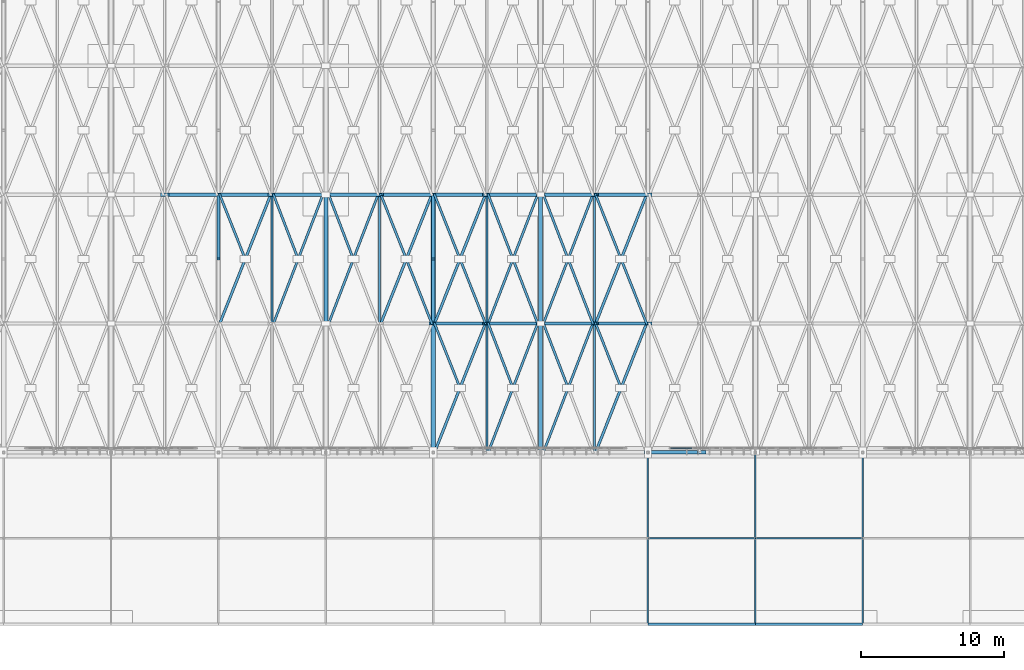
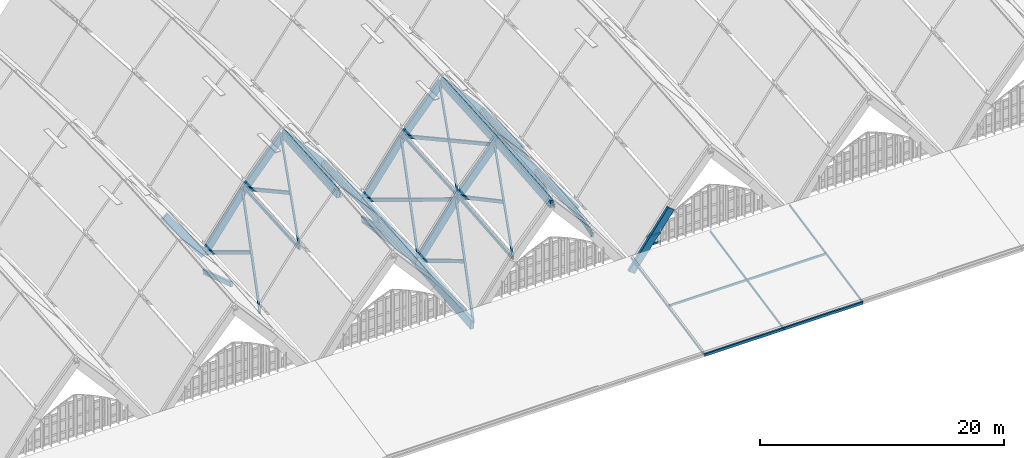
# One storey, part 33 of 93: 48 members, 19 beams, 1 element without a shape of its own.
"""IFC4 building model written with IfcOpenShell, lengths in metres."""

from ifc_helpers import new_model, si_unit, direction, frame, origin, origin_2d, place, context, subcontext, project, spatial, rectangle, hollow_rectangle, extrude, material, material_profile, profile_set, type_object, element, aggregate, save


model = new_model("IFC4")

# Units and contexts
model_context = context("Model", 3, precision=1e-05, world=origin(), true_north=direction((0.0, 1.0)))
body_context = subcontext(model_context, "Body", "Model", "MODEL_VIEW")
ifc_project = project(units=[si_unit("LENGTHUNIT", "METRE"), si_unit("AREAUNIT", "SQUARE_METRE"), si_unit("VOLUMEUNIT", "CUBIC_METRE"), si_unit("PLANEANGLEUNIT", "RADIAN"), si_unit("MASSUNIT", "GRAM", prefix="KILO")], contexts=[model_context])

# Site, building, storey
site_placement = place(None, origin())
site = spatial("IfcSite", under=ifc_project, at=site_placement, CompositionType="ELEMENT")
building_placement = place(site_placement, origin())
building = spatial("IfcBuilding", under=site, at=building_placement, Name="Vourika Railside Aquatics Centre", CompositionType="ELEMENT")
storey_placement = place(building_placement, frame((0.0, 0.0, 21.89990234375)))
storey = spatial("IfcBuildingStorey", under=building, at=storey_placement, Name="Roof", CompositionType="ELEMENT", Elevation=21.89990234375)

# Beams
ifc_material_1 = material(Name="Glulam GL32h", Category="wood")
ifc_material_profile_1 = material_profile(ifc_material_1, rectangle(XDim=0.239990234375, YDim=0.719970703125, at=origin_2d()), Name="GL32h 240x720")
ifc_profile_set_1 = profile_set([ifc_material_profile_1], Name="Glulam GL32h")
beam_type_1 = type_object("IfcBeamType", Name="BM-GL-ARCH-240x720", PredefinedType="BEAM", material=ifc_profile_set_1)
for number, where, z_axis, x_axis, name in (
    (1, (62.25, 30.0, -5.21435546875), (0.592401494544, 0.0, -0.805642891896), (0.0, 1.0, 0.0), "Pointed Glulam Vault Arch Rib GAR-0046"),
    (2, (66.0, 30.0, -10.314208984375), (0.592401494544, 0.0, 0.805642891896), (0.0, 1.0, 0.0), "Pointed Glulam Vault Arch Rib GAR-0077"),
):
    element("IfcBeam", number, at=place(storey_placement, frame(where, z_axis=z_axis, x_axis=x_axis)), inside=storey, type_object=beam_type_1, Name=name, PredefinedType="BEAM", context=body_context, shape_type="SweptSolid", body=[
        extrude(rectangle(XDim=0.239990234375, YDim=0.719970703125, at=origin_2d()), origin(), (0.0, 0.0, 1.0), 6.330078125),
    ])
for number, where, z_axis, x_axis, name in (
    (3, (69.75, 30.0, -5.21435546875), (0.657258623263, 0.0, 0.75366511273), (0.0, 1.0, 0.0), "Pointed Glulam Vault Arch Rib GAR-0078"),
    (4, (73.5, 30.0, -0.914306640625), (0.657258623263, 0.0, -0.75366511273), (0.0, 1.0, 0.0), "Pointed Glulam Vault Arch Rib GAR-0079"),
):
    element("IfcBeam", number, at=place(storey_placement, frame(where, z_axis=z_axis, x_axis=x_axis)), inside=storey, type_object=beam_type_1, Name=name, PredefinedType="BEAM", context=body_context, shape_type="SweptSolid", body=[
        extrude(rectangle(XDim=0.239990234375, YDim=0.719970703125, at=origin_2d()), origin(), (0.0, 0.0, 1.0), 5.70556640625),
    ])
beam_1_placement = place(storey_placement, frame((77.25, 30.0, -5.21435546875), z_axis=(0.592401494544, 0.0, -0.805642891896), x_axis=(0.0, 1.0, 0.0)))
element("IfcBeam", 5, at=beam_1_placement, inside=storey, type_object=beam_type_1, Name="Pointed Glulam Vault Arch Rib GAR-0080", PredefinedType="BEAM", context=body_context, shape_type="SweptSolid", body=[
    extrude(rectangle(XDim=0.239990234375, YDim=0.719970703125, at=origin_2d()), origin(), (0.0, 0.0, 1.0), 6.330078125),
])
beam_2_placement = place(storey_placement, frame((81.0, 21.0, -10.89990234375), z_axis=(0.592383087934, 0.0, 0.805656426233), x_axis=(0.0, 1.0, 0.0)))
element("IfcBeam", 6, at=beam_2_placement, inside=storey, type_object=beam_type_1, Name="Pointed Glulam Vault Arch Rib GAR-0107", PredefinedType="BEAM", context=body_context, shape_type="SweptSolid", body=[
    extrude(rectangle(XDim=0.239990234375, YDim=0.719970703125, at=origin_2d()), origin(), (0.0, 0.0, 1.0), 6.330322265625),
])
for number, where, z_axis, x_axis, name in (
    (7, (84.75, 21.0, -5.7998046875), (0.657279819973, 0.0, 0.753646626912), (0.0, 1.0, 0.0), "Pointed Glulam Vault Arch Rib GAR-0108"),
    (8, (88.5, 21.0, -1.5), (0.657279819973, 0.0, -0.753646626912), (0.0, 1.0, 0.0), "Pointed Glulam Vault Arch Rib GAR-0109"),
):
    element("IfcBeam", number, at=place(storey_placement, frame(where, z_axis=z_axis, x_axis=x_axis)), inside=storey, type_object=beam_type_1, Name=name, PredefinedType="BEAM", context=body_context, shape_type="SweptSolid", body=[
        extrude(rectangle(XDim=0.239990234375, YDim=0.719970703125, at=origin_2d()), origin(), (0.0, 0.0, 1.0), 5.705322265625),
    ])
beam_3_placement = place(storey_placement, frame((92.25, 21.0, -5.7998046875), z_axis=(0.592383087934, 0.0, -0.805656426233), x_axis=(0.0, 1.0, 0.0)))
element("IfcBeam", 9, at=beam_3_placement, inside=storey, type_object=beam_type_1, Name="Pointed Glulam Vault Arch Rib GAR-0110", PredefinedType="BEAM", context=body_context, shape_type="SweptSolid", body=[
    extrude(rectangle(XDim=0.239990234375, YDim=0.719970703125, at=origin_2d()), origin(), (0.0, 0.0, 1.0), 6.330322265625),
])
beam_4_placement = place(storey_placement, frame((81.0, 30.0, -10.314208984375), z_axis=(0.592401494544, 0.0, 0.805642891896), x_axis=(0.0, 1.0, 0.0)))
element("IfcBeam", 10, at=beam_4_placement, inside=storey, type_object=beam_type_1, Name="Pointed Glulam Vault Arch Rib GAR-0111", PredefinedType="BEAM", context=body_context, shape_type="SweptSolid", body=[
    extrude(rectangle(XDim=0.239990234375, YDim=0.719970703125, at=origin_2d()), origin(), (0.0, 0.0, 1.0), 6.330078125),
])
for number, where, z_axis, x_axis, name in (
    (11, (84.75, 30.0, -5.21435546875), (0.657258623263, 0.0, 0.75366511273), (0.0, 1.0, 0.0), "Pointed Glulam Vault Arch Rib GAR-0112"),
    (12, (88.5, 30.0, -0.914306640625), (0.657258623263, 0.0, -0.75366511273), (0.0, 1.0, 0.0), "Pointed Glulam Vault Arch Rib GAR-0113"),
):
    element("IfcBeam", number, at=place(storey_placement, frame(where, z_axis=z_axis, x_axis=x_axis)), inside=storey, type_object=beam_type_1, Name=name, PredefinedType="BEAM", context=body_context, shape_type="SweptSolid", body=[
        extrude(rectangle(XDim=0.239990234375, YDim=0.719970703125, at=origin_2d()), origin(), (0.0, 0.0, 1.0), 5.70556640625),
    ])
beam_5_placement = place(storey_placement, frame((92.25, 30.0, -5.21435546875), z_axis=(0.592401494544, 0.0, -0.805642891896), x_axis=(0.0, 1.0, 0.0)))
element("IfcBeam", 13, at=beam_5_placement, inside=storey, type_object=beam_type_1, Name="Pointed Glulam Vault Arch Rib GAR-0114", PredefinedType="BEAM", context=body_context, shape_type="SweptSolid", body=[
    extrude(rectangle(XDim=0.239990234375, YDim=0.719970703125, at=origin_2d()), origin(), (0.0, 0.0, 1.0), 6.330078125),
])
beam_6_placement = place(storey_placement, frame((96.0, 12.0, -11.699951171875), z_axis=(0.592383087934, 0.0, 0.805656426233), x_axis=(0.0, 1.0, 0.0)))
element("IfcBeam", 14, at=beam_6_placement, inside=storey, type_object=beam_type_1, Name="Pointed Glulam Vault Arch Rib GAR-0137", PredefinedType="BEAM", context=body_context, shape_type="SweptSolid", body=[
    extrude(rectangle(XDim=0.239990234375, YDim=0.719970703125, at=origin_2d()), origin(), (0.0, 0.0, 1.0), 6.330322265625),
])
ifc_material_profile_2 = material_profile(ifc_material_1, rectangle(XDim=0.280029296875, YDim=0.800048828125, at=origin_2d()), Name="GL32h 280x800")
ifc_profile_set_2 = profile_set([ifc_material_profile_2], Name="Glulam GL32h")
beam_type_2 = type_object("IfcBeamType", Name="BM-GL-RIDGE-280x800", PredefinedType="BEAM", material=ifc_profile_set_2)
beam_7_placement = place(storey_placement, frame((73.5, 21.0, -1.5), z_axis=(0.0, 0.997889191565, 0.064939674766), x_axis=(-1.0, 0.0, 0.0)))
element("IfcBeam", 15, at=beam_7_placement, inside=storey, type_object=beam_type_2, Name="Vault Pointed Ridge Beam GRB-0098", PredefinedType="BEAM", context=body_context, shape_type="SweptSolid", body=[
    extrude(rectangle(XDim=0.280029296875, YDim=0.800048828125, at=origin_2d()), origin(), (0.0, 0.0, 1.0), 9.01904296875),
])
beam_8_placement = place(storey_placement, frame((88.5, 12.0, -2.2998046875), z_axis=(0.0, 0.996074546839, 0.088518343518), x_axis=(-1.0, 0.0, 0.0)))
element("IfcBeam", 16, at=beam_8_placement, inside=storey, type_object=beam_type_2, Name="Vault Pointed Ridge Beam GRB-0131", PredefinedType="BEAM", context=body_context, shape_type="SweptSolid", body=[
    extrude(rectangle(XDim=0.280029296875, YDim=0.800048828125, at=origin_2d()), origin(), (0.0, 0.0, 1.0), 9.035400390625),
])
beam_9_placement = place(storey_placement, frame((88.5, 21.0, -1.5), z_axis=(0.0, 0.997889191565, 0.064939674766), x_axis=(-1.0, 0.0, 0.0)))
element("IfcBeam", 17, at=beam_9_placement, inside=storey, type_object=beam_type_2, Name="Vault Pointed Ridge Beam GRB-0132", PredefinedType="BEAM", context=body_context, shape_type="SweptSolid", body=[
    extrude(rectangle(XDim=0.280029296875, YDim=0.800048828125, at=origin_2d()), origin(), (0.0, 0.0, 1.0), 9.01904296875),
])
ifc_material_profile_3 = material_profile(ifc_material_1, rectangle(XDim=0.320068359375, YDim=0.9599609375, at=origin_2d()), Name="GL32h 320x960")
ifc_profile_set_3 = profile_set([ifc_material_profile_3], Name="Glulam GL32h")
beam_type_3 = type_object("IfcBeamType", Name="BM-GL-VAL-320x960", PredefinedType="BEAM", material=ifc_profile_set_3)
beam_10_placement = place(storey_placement, frame((81.0, 12.0, -11.699951171875), z_axis=(0.0, 0.996072164085, 0.088545151956), x_axis=(-1.0, 0.0, 0.0)))
element("IfcBeam", 18, at=beam_10_placement, inside=storey, type_object=beam_type_3, Name="Vault Valley Arch Rib VTR-019", PredefinedType="BEAM", context=body_context, shape_type="SweptSolid", body=[
    extrude(rectangle(XDim=0.320068359375, YDim=0.9599609375, at=origin_2d()), origin(), (0.0, 0.0, 1.0), 9.035400390625),
])
beam_11_placement = place(storey_placement, frame((81.0, 21.0, -10.89990234375), z_axis=(0.0, 0.997889191565, 0.064939674766), x_axis=(-1.0, 0.0, 0.0)))
element("IfcBeam", 19, at=beam_11_placement, inside=storey, type_object=beam_type_3, Name="Vault Valley Arch Rib VTR-020", PredefinedType="BEAM", context=body_context, shape_type="SweptSolid", body=[
    extrude(rectangle(XDim=0.320068359375, YDim=0.9599609375, at=origin_2d()), origin(), (0.0, 0.0, 1.0), 9.01904296875),
])

# Curtain wall, members
ifc_material_2 = material(Name="Anodized thermally broken aluminium", Category="aluminium")
curtain_wall_type = type_object("IfcCurtainWallType", Name="CW-VLTS2", PredefinedType="NOTDEFINED", material=ifc_material_2)
curtain_wall_placement = place(storey_placement, origin())
curtain_wall = element("IfcCurtainWall", 20, at=curtain_wall_placement, inside=storey, type_object=curtain_wall_type, Name="South Boulevard Pointed-Arch Clerestory Curtain Wall Bay 5", PredefinedType="NOTDEFINED")
ifc_material_3 = material(Name="Anodized aluminium transom", Category="aluminium")
ifc_material_profile_4 = material_profile(ifc_material_3, rectangle(XDim=0.087890625, YDim=0.19189453125, at=origin_2d()), Name="ALU-T 88x192")
ifc_profile_set_4 = profile_set([ifc_material_profile_4], Name="Anodized aluminium transom")
member_type_1 = type_object("IfcMemberType", Name="CWT-VLTS2", PredefinedType="USERDEFINED", material=ifc_profile_set_4)
member_1_placement = place(storey_placement, frame((97.637939453125, 12.280029296875, -9.8359375), z_axis=(1.0, 0.0, 0.0), x_axis=(0.0, 1.0, 0.0)))
member_1 = element("IfcMember", 21, at=member_1_placement, type_object=member_type_1, Name="CW04 transom 1.1", ObjectType="TRANSOM", PredefinedType="USERDEFINED", context=body_context, shape_type="SweptSolid", body=[
    extrude(rectangle(XDim=0.087890625, YDim=0.19189453125, at=origin_2d()), origin(), (0.0, 0.0, 1.0), 1.35546875),
])
member_2_placement = place(storey_placement, frame((97.637939453125, 12.280029296875, -8.97900390625), z_axis=(1.0, 0.0, 0.0), x_axis=(0.0, 1.0, 0.0)))
member_2 = element("IfcMember", 22, at=member_2_placement, type_object=member_type_1, Name="CW04 transom 1.2", ObjectType="TRANSOM", PredefinedType="USERDEFINED", context=body_context, shape_type="SweptSolid", body=[
    extrude(rectangle(XDim=0.087890625, YDim=0.19189453125, at=origin_2d()), origin(), (0.0, 0.0, 1.0), 1.35546875),
])
member_3_placement = place(storey_placement, frame((97.637939453125, 12.280029296875, -8.97900390625), z_axis=(0.823972633767, 0.0, 0.566629595771), x_axis=(0.0, 1.0, 0.0)))
member_3 = element("IfcMember", 23, at=member_3_placement, type_object=member_type_1, Name="CW04 arch chord transom 1", ObjectType="TRANSOM", PredefinedType="USERDEFINED", context=body_context, shape_type="SweptSolid", body=[
    extrude(rectangle(XDim=0.087890625, YDim=0.19189453125, at=origin_2d()), origin(), (0.0, 0.0, 1.0), 1.64501953125),
])
aggregate(curtain_wall, [member_1, member_2, member_3])

# Members
ifc_material_profile_5 = material_profile(ifc_material_1, rectangle(XDim=0.219970703125, YDim=0.60009765625, at=origin_2d()), Name="GL32h 220x600")
ifc_profile_set_5 = profile_set([ifc_material_profile_5], Name="Glulam GL32h")
member_type_2 = type_object("IfcMemberType", Name="MEM-GL-CHORD", PredefinedType="CHORD", material=ifc_profile_set_5)
member_4_placement = place(storey_placement, frame((81.0, 21.0, -10.89990234375), z_axis=(0.0, 0.991735627786, -0.128298264131), x_axis=(-1.0, 0.0, 0.0)))
element("IfcMember", 24, at=member_4_placement, inside=storey, type_object=member_type_2, Name="Valley Arch Truss Bottom Chord VBC-020", PredefinedType="CHORD", context=body_context, shape_type="SweptSolid", body=[
    extrude(rectangle(XDim=0.219970703125, YDim=0.60009765625, at=origin_2d()), origin(), (0.0, 0.0, 1.0), 9.074951171875),
])
ifc_material_4 = material(Name="Glulam GL28h", Category="wood")
ifc_material_profile_6 = material_profile(ifc_material_4, rectangle(XDim=0.179931640625, YDim=0.360107421875, at=origin_2d()), Name="GL28h 180x360")
ifc_profile_set_6 = profile_set([ifc_material_profile_6], Name="Glulam GL28h")
member_type_3 = type_object("IfcMemberType", Name="MEM-GL-LATH1", PredefinedType="BRACE", material=ifc_profile_set_6)
member_5_placement = place(storey_placement, frame((66.094970703125, 21.0, -10.76318359375), z_axis=(0.321000574365, 0.811504949484, 0.488281013577), x_axis=(-0.929892910811, 0.367830360933, 0.0)))
element("IfcMember", 25, at=member_5_placement, inside=storey, type_object=member_type_3, Name="Gridshell Continuous Diagonal Lath GLA-0123", PredefinedType="BRACE", context=body_context, shape_type="SweptSolid", body=[
    extrude(rectangle(XDim=0.179931640625, YDim=0.360107421875, at=origin_2d()), origin(), (0.0, 0.0, 1.0), 11.090576171875),
])
member_6_placement = place(storey_placement, frame((77.344970703125, 21.0, -5.92138671875), z_axis=(0.336558619113, 0.85083643773, -0.403491824121), x_axis=(-0.929892910811, 0.367830360933, 0.0)))
element("IfcMember", 26, at=member_6_placement, inside=storey, type_object=member_type_3, Name="Gridshell Continuous Diagonal Lath GLA-0129", PredefinedType="BRACE", context=body_context, shape_type="SweptSolid", body=[
    extrude(rectangle(XDim=0.179931640625, YDim=0.360107421875, at=origin_2d()), origin(), (0.0, 0.0, 1.0), 10.577880859375),
])
member_7_placement = place(storey_placement, frame((81.094970703125, 12.0, -11.56201171875), z_axis=(0.318017835503, 0.80396444164, 0.502499584956), x_axis=(-0.929892910811, 0.367830360933, 0.0)))
element("IfcMember", 27, at=member_7_placement, inside=storey, type_object=member_type_3, Name="Gridshell Continuous Diagonal Lath GLA-0173", PredefinedType="BRACE", context=body_context, shape_type="SweptSolid", body=[
    extrude(rectangle(XDim=0.179931640625, YDim=0.360107421875, at=origin_2d()), origin(), (0.0, 0.0, 1.0), 11.194580078125),
])
member_8_placement = place(storey_placement, frame((92.344970703125, 12.0, -6.72021484375), z_axis=(0.339219023139, 0.857562067548, -0.386675257346), x_axis=(-0.929892910811, 0.367830360933, 0.0)))
element("IfcMember", 28, at=member_8_placement, inside=storey, type_object=member_type_3, Name="Gridshell Continuous Diagonal Lath GLA-0179", PredefinedType="BRACE", context=body_context, shape_type="SweptSolid", body=[
    extrude(rectangle(XDim=0.179931640625, YDim=0.360107421875, at=origin_2d()), origin(), (0.0, 0.0, 1.0), 10.494873046875),
])
member_9_placement = place(storey_placement, frame((81.094970703125, 21.0, -10.76318359375), z_axis=(0.321000574365, 0.811504949484, 0.488281013577), x_axis=(-0.929892910811, 0.367830360933, 0.0)))
element("IfcMember", 29, at=member_9_placement, inside=storey, type_object=member_type_3, Name="Gridshell Continuous Diagonal Lath GLA-0183", PredefinedType="BRACE", context=body_context, shape_type="SweptSolid", body=[
    extrude(rectangle(XDim=0.179931640625, YDim=0.360107421875, at=origin_2d()), origin(), (0.0, 0.0, 1.0), 11.090576171875),
])
member_10_placement = place(storey_placement, frame((92.344970703125, 21.0, -5.92138671875), z_axis=(0.336558619113, 0.85083643773, -0.403491824121), x_axis=(-0.929892910811, 0.367830360933, 0.0)))
element("IfcMember", 30, at=member_10_placement, inside=storey, type_object=member_type_3, Name="Gridshell Continuous Diagonal Lath GLA-0189", PredefinedType="BRACE", context=body_context, shape_type="SweptSolid", body=[
    extrude(rectangle(XDim=0.179931640625, YDim=0.360107421875, at=origin_2d()), origin(), (0.0, 0.0, 1.0), 10.577880859375),
])
ifc_material_profile_7 = material_profile(ifc_material_4, rectangle(XDim=0.159912109375, YDim=0.320068359375, at=origin_2d()), Name="GL28h 160x320")
ifc_profile_set_7 = profile_set([ifc_material_profile_7], Name="Glulam GL28h")
member_type_4 = type_object("IfcMemberType", Name="MEM-GL-LATH2", PredefinedType="BRACE", material=ifc_profile_set_7)
member_11_placement = place(storey_placement, frame((67.875, 25.5, -8.055419921875), z_axis=(-0.336558619113, 0.85083643773, -0.403491824121), x_axis=(-0.929892910811, -0.367830360933, 0.0)))
element("IfcMember", 31, at=member_11_placement, inside=storey, type_object=member_type_4, Name="Gridshell Split Counter Lath GLB2-0124", PredefinedType="BRACE", context=body_context, shape_type="SweptSolid", body=[
    extrude(rectangle(XDim=0.159912109375, YDim=0.320068359375, at=origin_2d()), origin(), (0.0, 0.0, 1.0), 5.288818359375),
])
member_12_placement = place(storey_placement, frame((69.844970703125, 21.0, -5.683349609375), z_axis=(0.324299099527, 0.844754240035, 0.425699856693), x_axis=(-0.933569951957, 0.358395235463, 0.0)))
element("IfcMember", 32, at=member_12_placement, inside=storey, type_object=member_type_4, Name="Gridshell Continuous Diagonal Lath GLA-0125", PredefinedType="BRACE", context=body_context, shape_type="SweptSolid", body=[
    extrude(rectangle(XDim=0.159912109375, YDim=0.320068359375, at=origin_2d()), origin(), (0.0, 0.0, 1.0), 10.654052734375),
])
member_13_placement = place(storey_placement, frame((71.572509765625, 25.5, -3.415771484375), z_axis=(-0.338120523205, 0.8807571345, -0.331574097021), x_axis=(-0.933569951957, -0.358395235463, 0.0)))
element("IfcMember", 33, at=member_13_placement, inside=storey, type_object=member_type_4, Name="Gridshell Split Counter Lath GLB2-0126", PredefinedType="BRACE", context=body_context, shape_type="SweptSolid", body=[
    extrude(rectangle(XDim=0.159912109375, YDim=0.320068359375, at=origin_2d()), origin(), (0.0, 0.0, 1.0), 5.109130859375),
])
member_14_placement = place(storey_placement, frame((73.699951171875, 21.0, -1.7216796875), z_axis=(0.338120523205, 0.8807571345, -0.331574097021), x_axis=(-0.933569951957, 0.358395235463, 0.0)))
element("IfcMember", 34, at=member_14_placement, inside=storey, type_object=member_type_4, Name="Gridshell Continuous Diagonal Lath GLA-0127", PredefinedType="BRACE", context=body_context, shape_type="SweptSolid", body=[
    extrude(rectangle(XDim=0.159912109375, YDim=0.320068359375, at=origin_2d()), origin(), (0.0, 0.0, 1.0), 10.218505859375),
])
member_15_placement = place(storey_placement, frame((75.427490234375, 25.5, -3.415771484375), z_axis=(-0.324295935921, 0.844745999277, 0.425718619102), x_axis=(-0.933569951957, -0.358395235463, 0.0)))
element("IfcMember", 35, at=member_15_placement, inside=storey, type_object=member_type_4, Name="Gridshell Split Counter Lath GLB2-0128", PredefinedType="BRACE", context=body_context, shape_type="SweptSolid", body=[
    extrude(rectangle(XDim=0.159912109375, YDim=0.320068359375, at=origin_2d()), origin(), (0.0, 0.0, 1.0), 5.3271484375),
])
member_16_placement = place(storey_placement, frame((80.905029296875, 21.0, -10.76318359375), z_axis=(-0.320997123983, 0.811496226753, 0.48829777837), x_axis=(-0.929892910811, -0.367830360933, 0.0)))
element("IfcMember", 36, at=member_16_placement, inside=storey, type_object=member_type_4, Name="Gridshell Split Counter Lath GLB1-0130", PredefinedType="BRACE", context=body_context, shape_type="SweptSolid", body=[
    extrude(rectangle(XDim=0.159912109375, YDim=0.320068359375, at=origin_2d()), origin(), (0.0, 0.0, 1.0), 5.54541015625),
])
member_17_placement = place(storey_placement, frame((79.125, 25.5, -8.055419921875), z_axis=(-0.321004024702, 0.811513672104, 0.488264248244), x_axis=(-0.929892910811, -0.367830360933, 0.0)))
element("IfcMember", 37, at=member_17_placement, inside=storey, type_object=member_type_4, Name="Gridshell Split Counter Lath GLB2-0130", PredefinedType="BRACE", context=body_context, shape_type="SweptSolid", body=[
    extrude(rectangle(XDim=0.159912109375, YDim=0.320068359375, at=origin_2d()), origin(), (0.0, 0.0, 1.0), 5.545166015625),
])
member_18_placement = place(storey_placement, frame((82.875, 16.5, -8.74951171875), z_axis=(-0.339225125603, 0.857577494874, -0.386635686979), x_axis=(-0.929892910811, -0.367830360933, 0.0)))
element("IfcMember", 38, at=member_18_placement, inside=storey, type_object=member_type_4, Name="Gridshell Split Counter Lath GLB2-0174", PredefinedType="BRACE", context=body_context, shape_type="SweptSolid", body=[
    extrude(rectangle(XDim=0.159912109375, YDim=0.320068359375, at=origin_2d()), origin(), (0.0, 0.0, 1.0), 5.247314453125),
])
member_19_placement = place(storey_placement, frame((84.844970703125, 12.0, -6.482177734375), z_axis=(0.321550791273, 0.837595277664, 0.441632471028), x_axis=(-0.933569951957, 0.358395235463, 0.0)))
element("IfcMember", 39, at=member_19_placement, inside=storey, type_object=member_type_4, Name="Gridshell Continuous Diagonal Lath GLA-0175", PredefinedType="BRACE", context=body_context, shape_type="SweptSolid", body=[
    extrude(rectangle(XDim=0.159912109375, YDim=0.320068359375, at=origin_2d()), origin(), (0.0, 0.0, 1.0), 10.7451171875),
])
member_20_placement = place(storey_placement, frame((86.572509765625, 16.5, -4.109619140625), z_axis=(-0.340380210662, 0.886643307367, -0.313057435131), x_axis=(-0.933569951957, -0.358395235463, 0.0)))
element("IfcMember", 40, at=member_20_placement, inside=storey, type_object=member_type_4, Name="Gridshell Split Counter Lath GLB2-0176", PredefinedType="BRACE", context=body_context, shape_type="SweptSolid", body=[
    extrude(rectangle(XDim=0.159912109375, YDim=0.320068359375, at=origin_2d()), origin(), (0.0, 0.0, 1.0), 5.075439453125),
])
member_21_placement = place(storey_placement, frame((88.699951171875, 12.0, -2.5205078125), z_axis=(0.340377647674, 0.886636631138, -0.313079129436), x_axis=(-0.933569951957, 0.358395235463, 0.0)))
element("IfcMember", 41, at=member_21_placement, inside=storey, type_object=member_type_4, Name="Gridshell Continuous Diagonal Lath GLA-0177", PredefinedType="BRACE", context=body_context, shape_type="SweptSolid", body=[
    extrude(rectangle(XDim=0.159912109375, YDim=0.320068359375, at=origin_2d()), origin(), (0.0, 0.0, 1.0), 10.150634765625),
])
member_22_placement = place(storey_placement, frame((90.427490234375, 16.5, -4.109619140625), z_axis=(-0.32154756466, 0.837586872782, 0.441650760448), x_axis=(-0.933569951957, -0.358395235463, 0.0)))
element("IfcMember", 42, at=member_22_placement, inside=storey, type_object=member_type_4, Name="Gridshell Split Counter Lath GLB2-0178", PredefinedType="BRACE", context=body_context, shape_type="SweptSolid", body=[
    extrude(rectangle(XDim=0.159912109375, YDim=0.320068359375, at=origin_2d()), origin(), (0.0, 0.0, 1.0), 5.37255859375),
])
member_23_placement = place(storey_placement, frame((94.125, 16.5, -8.74951171875), z_axis=(-0.318014350334, 0.803955630964, 0.502515886737), x_axis=(-0.929892910811, -0.367830360933, 0.0)))
element("IfcMember", 43, at=member_23_placement, inside=storey, type_object=member_type_4, Name="Gridshell Split Counter Lath GLB2-0180", PredefinedType="BRACE", context=body_context, shape_type="SweptSolid", body=[
    extrude(rectangle(XDim=0.159912109375, YDim=0.320068359375, at=origin_2d()), origin(), (0.0, 0.0, 1.0), 5.597412109375),
])
for number, where, z_axis, x_axis, name in (
    (44, (84.655029296875, 21.0, -5.92138671875), (-0.336558619113, 0.85083643773, -0.403491824121), (-0.929892910811, -0.367830360933, 0.0), "Gridshell Split Counter Lath GLB1-0184"),
    (45, (82.875, 25.5, -8.055419921875), (-0.336558619113, 0.85083643773, -0.403491824121), (-0.929892910811, -0.367830360933, 0.0), "Gridshell Split Counter Lath GLB2-0184"),
):
    element("IfcMember", number, at=place(storey_placement, frame(where, z_axis=z_axis, x_axis=x_axis)), inside=storey, type_object=member_type_4, Name=name, PredefinedType="BRACE", context=body_context, shape_type="SweptSolid", body=[
        extrude(rectangle(XDim=0.159912109375, YDim=0.320068359375, at=origin_2d()), origin(), (0.0, 0.0, 1.0), 5.288818359375),
    ])
member_24_placement = place(storey_placement, frame((84.844970703125, 21.0, -5.683349609375), z_axis=(0.324299099527, 0.844754240035, 0.425699856693), x_axis=(-0.933569951957, 0.358395235463, 0.0)))
element("IfcMember", 46, at=member_24_placement, inside=storey, type_object=member_type_4, Name="Gridshell Continuous Diagonal Lath GLA-0185", PredefinedType="BRACE", context=body_context, shape_type="SweptSolid", body=[
    extrude(rectangle(XDim=0.159912109375, YDim=0.320068359375, at=origin_2d()), origin(), (0.0, 0.0, 1.0), 10.654052734375),
])
for number, where, z_axis, x_axis, name in (
    (47, (88.300048828125, 21.0, -1.7216796875), (-0.338120523205, 0.8807571345, -0.331574097021), (-0.933569951957, -0.358395235463, 0.0), "Gridshell Split Counter Lath GLB1-0186"),
    (48, (86.572509765625, 25.5, -3.415771484375), (-0.338120523205, 0.8807571345, -0.331574097021), (-0.933569951957, -0.358395235463, 0.0), "Gridshell Split Counter Lath GLB2-0186"),
):
    element("IfcMember", number, at=place(storey_placement, frame(where, z_axis=z_axis, x_axis=x_axis)), inside=storey, type_object=member_type_4, Name=name, PredefinedType="BRACE", context=body_context, shape_type="SweptSolid", body=[
        extrude(rectangle(XDim=0.159912109375, YDim=0.320068359375, at=origin_2d()), origin(), (0.0, 0.0, 1.0), 5.109130859375),
    ])
member_25_placement = place(storey_placement, frame((88.699951171875, 21.0, -1.7216796875), z_axis=(0.338120523205, 0.8807571345, -0.331574097021), x_axis=(-0.933569951957, 0.358395235463, 0.0)))
element("IfcMember", 49, at=member_25_placement, inside=storey, type_object=member_type_4, Name="Gridshell Continuous Diagonal Lath GLA-0187", PredefinedType="BRACE", context=body_context, shape_type="SweptSolid", body=[
    extrude(rectangle(XDim=0.159912109375, YDim=0.320068359375, at=origin_2d()), origin(), (0.0, 0.0, 1.0), 10.218505859375),
])
member_26_placement = place(storey_placement, frame((92.155029296875, 21.0, -5.683349609375), z_axis=(-0.324302263056, 0.84476248059, 0.425681093735), x_axis=(-0.933569951957, -0.358395235463, 0.0)))
element("IfcMember", 50, at=member_26_placement, inside=storey, type_object=member_type_4, Name="Gridshell Split Counter Lath GLB1-0188", PredefinedType="BRACE", context=body_context, shape_type="SweptSolid", body=[
    extrude(rectangle(XDim=0.159912109375, YDim=0.320068359375, at=origin_2d()), origin(), (0.0, 0.0, 1.0), 5.326904296875),
])
member_27_placement = place(storey_placement, frame((90.427490234375, 25.5, -3.415771484375), z_axis=(-0.324295935921, 0.844745999277, 0.425718619102), x_axis=(-0.933569951957, -0.358395235463, 0.0)))
element("IfcMember", 51, at=member_27_placement, inside=storey, type_object=member_type_4, Name="Gridshell Split Counter Lath GLB2-0188", PredefinedType="BRACE", context=body_context, shape_type="SweptSolid", body=[
    extrude(rectangle(XDim=0.159912109375, YDim=0.320068359375, at=origin_2d()), origin(), (0.0, 0.0, 1.0), 5.3271484375),
])
member_28_placement = place(storey_placement, frame((95.905029296875, 21.0, -10.76318359375), z_axis=(-0.320997123983, 0.811496226753, 0.48829777837), x_axis=(-0.929892910811, -0.367830360933, 0.0)))
element("IfcMember", 52, at=member_28_placement, inside=storey, type_object=member_type_4, Name="Gridshell Split Counter Lath GLB1-0190", PredefinedType="BRACE", context=body_context, shape_type="SweptSolid", body=[
    extrude(rectangle(XDim=0.159912109375, YDim=0.320068359375, at=origin_2d()), origin(), (0.0, 0.0, 1.0), 5.54541015625),
])
member_29_placement = place(storey_placement, frame((94.125, 25.5, -8.055419921875), z_axis=(-0.321004024702, 0.811513672104, 0.488264248244), x_axis=(-0.929892910811, -0.367830360933, 0.0)))
element("IfcMember", 53, at=member_29_placement, inside=storey, type_object=member_type_4, Name="Gridshell Split Counter Lath GLB2-0190", PredefinedType="BRACE", context=body_context, shape_type="SweptSolid", body=[
    extrude(rectangle(XDim=0.159912109375, YDim=0.320068359375, at=origin_2d()), origin(), (0.0, 0.0, 1.0), 5.545166015625),
])
ifc_material_profile_8 = material_profile(ifc_material_4, rectangle(XDim=0.139892578125, YDim=0.280029296875, at=origin_2d()), Name="GL28h 140x280")
ifc_profile_set_8 = profile_set([ifc_material_profile_8], Name="Glulam GL28h")
member_type_5 = type_object("IfcMemberType", Name="MEM-GL-PURLIN", PredefinedType="PURLIN", material=ifc_profile_set_8)
for number, where, z_axis, x_axis, name in (
    (54, (69.75, 21.0, -5.52978515625), (0.0, 0.997890945376, 0.064912719374), (-1.0, 0.0, 0.0), "Vault Timber Purlin GTP-0121"),
    (55, (77.25, 21.0, -5.52978515625), (0.0, 0.997890945376, 0.064912719374), (-1.0, 0.0, 0.0), "Vault Timber Purlin GTP-0122"),
):
    element("IfcMember", number, at=place(storey_placement, frame(where, z_axis=z_axis, x_axis=x_axis)), inside=storey, type_object=member_type_5, Name=name, PredefinedType="PURLIN", context=body_context, shape_type="SweptSolid", body=[
        extrude(rectangle(XDim=0.139892578125, YDim=0.280029296875, at=origin_2d()), origin(), (0.0, 0.0, 1.0), 9.01904296875),
    ])
for number, where, z_axis, x_axis, name in (
    (56, (84.75, 12.0, -6.329833984375), (0.0, 0.996072164085, 0.088545151956), (-1.0, 0.0, 0.0), "Vault Timber Purlin GTP-0171"),
    (57, (92.25, 12.0, -6.329833984375), (0.0, 0.996072164085, 0.088545151956), (-1.0, 0.0, 0.0), "Vault Timber Purlin GTP-0172"),
):
    element("IfcMember", number, at=place(storey_placement, frame(where, z_axis=z_axis, x_axis=x_axis)), inside=storey, type_object=member_type_5, Name=name, PredefinedType="PURLIN", context=body_context, shape_type="SweptSolid", body=[
        extrude(rectangle(XDim=0.139892578125, YDim=0.280029296875, at=origin_2d()), origin(), (0.0, 0.0, 1.0), 9.035400390625),
    ])
for number, where, z_axis, x_axis, name in (
    (58, (84.75, 21.0, -5.52978515625), (0.0, 0.997890945376, 0.064912719374), (-1.0, 0.0, 0.0), "Vault Timber Purlin GTP-0181"),
    (59, (92.25, 21.0, -5.52978515625), (0.0, 0.997890945376, 0.064912719374), (-1.0, 0.0, 0.0), "Vault Timber Purlin GTP-0182"),
):
    element("IfcMember", number, at=place(storey_placement, frame(where, z_axis=z_axis, x_axis=x_axis)), inside=storey, type_object=member_type_5, Name=name, PredefinedType="PURLIN", context=body_context, shape_type="SweptSolid", body=[
        extrude(rectangle(XDim=0.139892578125, YDim=0.280029296875, at=origin_2d()), origin(), (0.0, 0.0, 1.0), 9.01904296875),
    ])
ifc_material_profile_9 = material_profile(ifc_material_4, rectangle(XDim=0.219970703125, YDim=0.43994140625, at=origin_2d()), Name="GL28h 220x440")
ifc_profile_set_9 = profile_set([ifc_material_profile_9], Name="Glulam GL28h")
member_type_6 = type_object("IfcMemberType", Name="MEM-GL-STRUT2", PredefinedType="STRUT", material=ifc_profile_set_9)
for number, where, z_axis, x_axis, name in (
    (60, (66.0, 25.5, -10.607177734375), (0.0, 0.95137335537, -0.308040157598), (-1.0, 0.0, 0.0), "Valley Truss Web Strut VWB-014"),
    (61, (81.0, 25.5, -10.607177734375), (0.0, 0.95137335537, -0.308040157598), (-1.0, 0.0, 0.0), "Valley Truss Web Strut VWB-020"),
):
    element("IfcMember", number, at=place(storey_placement, frame(where, z_axis=z_axis, x_axis=x_axis)), inside=storey, type_object=member_type_6, Name=name, PredefinedType="STRUT", context=body_context, shape_type="SweptSolid", body=[
        extrude(rectangle(XDim=0.219970703125, YDim=0.43994140625, at=origin_2d()), origin(), (0.0, 0.0, 1.0), 4.72998046875),
    ])
ifc_material_5 = material(Name="Steel S355J2", Category="steel")
ifc_material_profile_10 = material_profile(ifc_material_5, hollow_rectangle(XDim=0.10009765625, YDim=0.179931640625, WallThickness=0.008056640625, at=origin_2d()), Name="RHS 180x100x8")
ifc_profile_set_10 = profile_set([ifc_material_profile_10], Name="Steel S355J2")
member_type_7 = type_object("IfcMemberType", Name="MEM-STL-RHS180", PredefinedType="RAFTER", material=ifc_profile_set_10)
for number, where, z_axis, x_axis, name in (
    (62, (96.0, 0.0, -12.699951171875), (0.0, 0.979788513636, 0.200036168098), (-1.0, 0.0, 0.0), "Changing Roof Sloped Rafter V4R-96.0"),
    (63, (103.5, 0.0, -12.699951171875), (0.0, 0.979788513636, 0.200036168098), (-1.0, 0.0, 0.0), "Changing Roof Sloped Rafter V4R-103.5"),
    (64, (111.0, 0.0, -12.699951171875), (0.0, 0.979788513636, 0.200036168098), (-1.0, 0.0, 0.0), "Changing Roof Sloped Rafter V4R-111.0"),
):
    element("IfcMember", number, at=place(storey_placement, frame(where, z_axis=z_axis, x_axis=x_axis)), inside=storey, type_object=member_type_7, Name=name, PredefinedType="RAFTER", context=body_context, shape_type="SweptSolid", body=[
        extrude(hollow_rectangle(XDim=0.10009765625, YDim=0.179931640625, WallThickness=0.008056640625, at=origin_2d()), origin(), (0.0, 0.0, 1.0), 12.24755859375),
    ])
ifc_material_profile_11 = material_profile(ifc_material_5, hollow_rectangle(XDim=0.1201171875, YDim=0.199951171875, WallThickness=0.008056640625, at=origin_2d()), Name="RHS 200x120x8")
ifc_profile_set_11 = profile_set([ifc_material_profile_11], Name="Steel S355J2")
member_type_8 = type_object("IfcMemberType", Name="MEM-STL-RHS200", PredefinedType="PURLIN", material=ifc_profile_set_11)
for number, where, z_axis, x_axis, name in (
    (65, (96.0, 6.0, -11.474853515625), (1.0, 0.0, 0.0), (0.0, 1.0, 0.0), "Changing Roof RHS Purlin V4P-96.0-103.5"),
    (66, (103.5, 6.0, -11.474853515625), (1.0, 0.0, 0.0), (0.0, 1.0, 0.0), "Changing Roof RHS Purlin V4P-103.5-111.0"),
):
    element("IfcMember", number, at=place(storey_placement, frame(where, z_axis=z_axis, x_axis=x_axis)), inside=storey, type_object=member_type_8, Name=name, PredefinedType="PURLIN", context=body_context, shape_type="SweptSolid", body=[
        extrude(hollow_rectangle(XDim=0.1201171875, YDim=0.199951171875, WallThickness=0.008056640625, at=origin_2d()), origin(), (0.0, 0.0, 1.0), 7.5),
    ])
ifc_material_profile_12 = material_profile(ifc_material_5, hollow_rectangle(XDim=0.14990234375, YDim=0.25, WallThickness=0.010009765625, at=origin_2d()), Name="RHS 250x150x10")
ifc_profile_set_12 = profile_set([ifc_material_profile_12], Name="Steel S355J2")
member_type_9 = type_object("IfcMemberType", Name="MEM-STL-RHS250", PredefinedType="PURLIN", material=ifc_profile_set_12)
for number, where, z_axis, x_axis, name in (
    (67, (96.0, 0.0, -12.719970703125), (1.0, 0.0, 0.0), (0.0, 1.0, 0.0), "Changing Roof Eave Purlin V4E-96.0-103.5"),
    (68, (103.5, 0.0, -12.719970703125), (1.0, 0.0, 0.0), (0.0, 1.0, 0.0), "Changing Roof Eave Purlin V4E-103.5-111.0"),
):
    element("IfcMember", number, at=place(storey_placement, frame(where, z_axis=z_axis, x_axis=x_axis)), inside=storey, type_object=member_type_9, Name=name, PredefinedType="PURLIN", context=body_context, shape_type="SweptSolid", body=[
        extrude(hollow_rectangle(XDim=0.14990234375, YDim=0.25, WallThickness=0.010009765625, at=origin_2d()), origin(), (0.0, 0.0, 1.0), 7.5),
    ])

save(model, "model.ifc")
